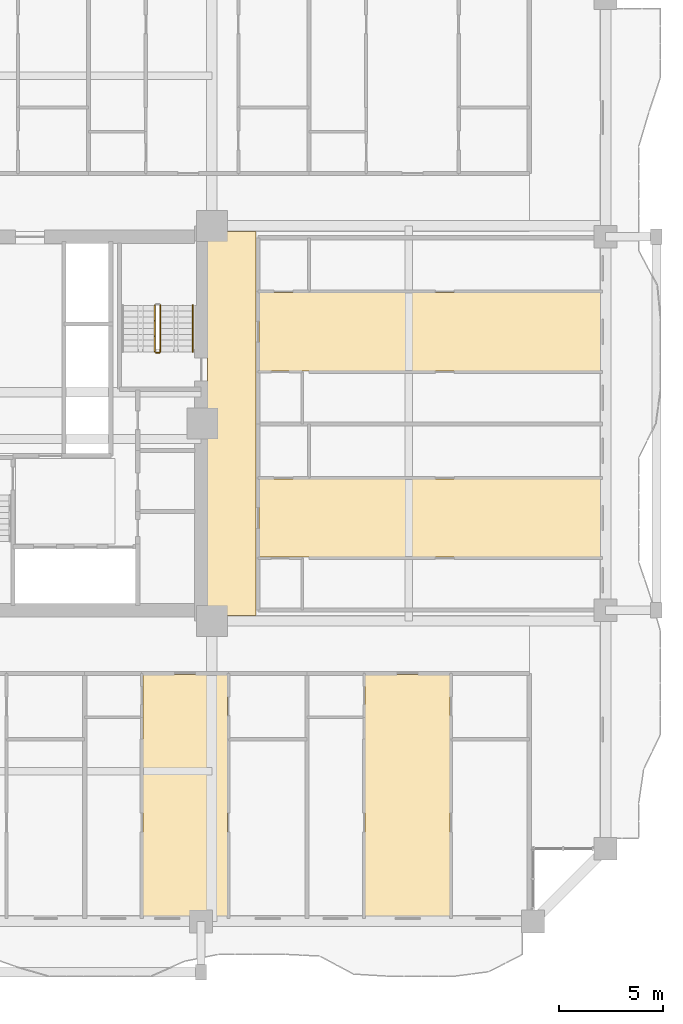
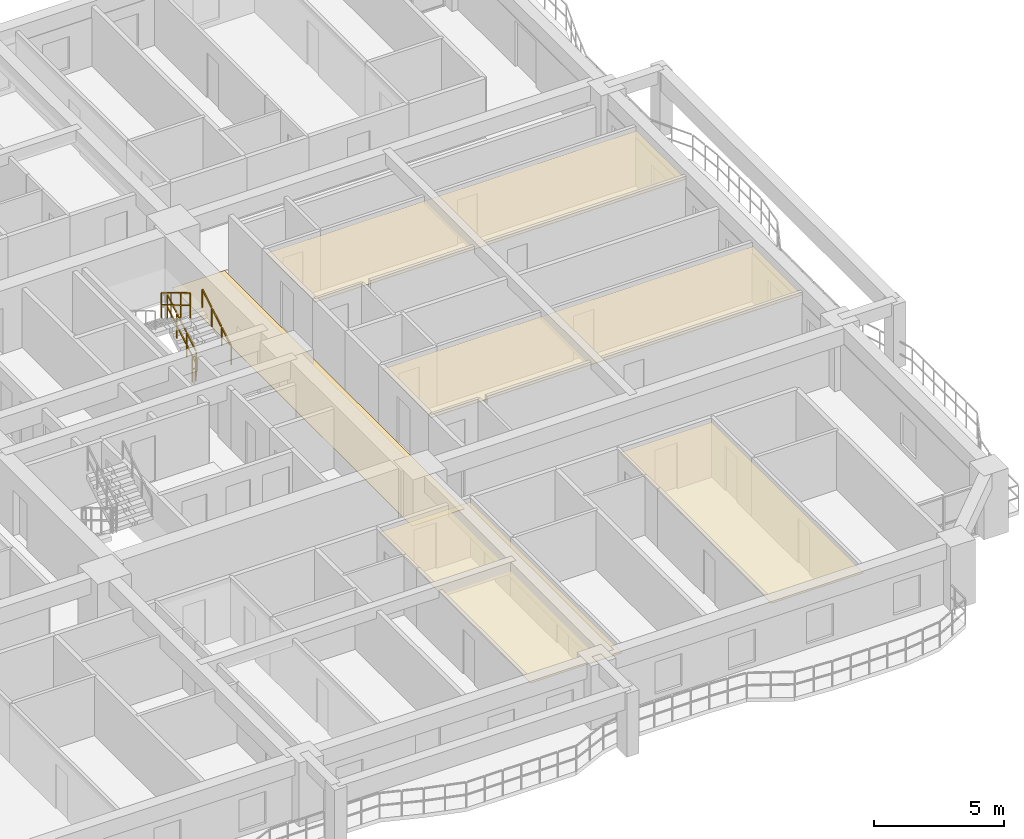
# One storey, part 25 of 27: 5 coverings, 4 railings.
"""IFC4 building model written with IfcOpenShell, lengths in metres."""

from ifc_helpers import new_model, si_unit, direction, frame, origin, origin_2d, place, context, subcontext, project, spatial, polyline, rectangle, outline, extrude, material, layer, layer_set, type_object, element, save


model = new_model("IFC4")

# Units and contexts
model_context = context("Model", 3, precision=1e-05, world=origin(), true_north=direction((0.0, 1.0)))
body_context = subcontext(model_context, "Body", "Model", "MODEL_VIEW")
ifc_project = project(units=[si_unit("LENGTHUNIT", "METRE"), si_unit("AREAUNIT", "SQUARE_METRE"), si_unit("VOLUMEUNIT", "CUBIC_METRE"), si_unit("PLANEANGLEUNIT", "RADIAN"), si_unit("MASSUNIT", "GRAM", prefix="KILO")], contexts=[model_context])

# Site, building, storey
site_placement = place(None, origin())
site = spatial("IfcSite", under=ifc_project, at=site_placement, CompositionType="ELEMENT")
building_placement = place(site_placement, origin())
building = spatial("IfcBuilding", under=site, at=building_placement, Name="Saelheon Loggia Tower", CompositionType="ELEMENT")
storey_placement = place(building_placement, frame((0.0, 0.0, 34.39990234375)))
storey = spatial("IfcBuildingStorey", under=building, at=storey_placement, Name="L10", CompositionType="ELEMENT", Elevation=34.39990234375)

# Coverings
ifc_material_1 = material(Name="Mineral-Fibre Acoustic Ceiling Board", Category="gypsum")
ifc_layer_1 = layer(ifc_material_1, 0.02490234375)
ifc_layer_set_1 = layer_set([ifc_layer_1], Name="Mineral-Fibre Acoustic Ceiling Board")
covering_type_1 = type_object("IfcCoveringType", Name="Cov_Ceiling_Acoustic", PredefinedType="CEILING", material=ifc_layer_set_1)
covering_1_placement = place(storey_placement, frame((0.0, 0.0, 2.53515625)))
element("IfcCovering", 1, at=covering_1_placement, inside=storey, type_object=covering_type_1, Name="L10 Acoustic Suspended Ceiling", PredefinedType="CEILING", context=body_context, shape_type="SweptSolid", body=[
    extrude(outline(polyline([(41.69287109375, 3.199951171875), (45.77001953125, 3.199951171875), (45.77001953125, 14.89990234375), (41.69287109375, 14.89990234375), (41.69287109375, 3.199951171875)])), origin(), (0.0, 0.0, 1.0), 0.02490234375),
])
covering_2_placement = place(storey_placement, frame((0.0, 0.0, 2.53515625)))
element("IfcCovering", 2, at=covering_2_placement, inside=storey, type_object=covering_type_1, Name="L10 Acoustic Suspended Ceiling", PredefinedType="CEILING", context=body_context, shape_type="SweptSolid", body=[
    extrude(outline(polyline([(52.406494140625, 3.199951171875), (56.504150390625, 3.199951171875), (56.504150390625, 14.89990234375), (52.406494140625, 14.89990234375), (52.406494140625, 3.199951171875)])), origin(), (0.0, 0.0, 1.0), 0.02490234375),
])
covering_3_placement = place(storey_placement, frame((0.0, 0.0, 2.53515625)))
element("IfcCovering", 3, at=covering_3_placement, inside=storey, type_object=covering_type_1, Name="L10 Acoustic Suspended Ceiling", PredefinedType="CEILING", context=body_context, shape_type="SweptSolid", body=[
    extrude(outline(polyline([(47.300048828125, 20.56298828125), (63.800048828125, 20.56298828125), (63.800048828125, 24.324951171875), (47.300048828125, 24.324951171875), (47.300048828125, 20.56298828125)])), origin(), (0.0, 0.0, 1.0), 0.02490234375),
])
covering_4_placement = place(storey_placement, frame((0.0, 0.0, 2.53515625)))
element("IfcCovering", 4, at=covering_4_placement, inside=storey, type_object=covering_type_1, Name="L10 Acoustic Suspended Ceiling", PredefinedType="CEILING", context=body_context, shape_type="SweptSolid", body=[
    extrude(outline(polyline([(47.300048828125, 29.5380859375), (63.800048828125, 29.5380859375), (63.800048828125, 33.300048828125), (47.300048828125, 33.300048828125), (47.300048828125, 29.5380859375)])), origin(), (0.0, 0.0, 1.0), 0.02490234375),
])
ifc_material_2 = material(Name="Vitrified Porcelain Floor Tile", Category="ceramic")
ifc_layer_2 = layer(ifc_material_2, 0.02001953125)
ifc_layer_set_2 = layer_set([ifc_layer_2], Name="Vitrified Porcelain Floor Tile")
covering_type_2 = type_object("IfcCoveringType", Name="Cov_Floor_Porcelain", PredefinedType="FLOORING", material=ifc_layer_set_2)
covering_5_placement = place(storey_placement, origin())
element("IfcCovering", 5, at=covering_5_placement, inside=storey, type_object=covering_type_2, Name="L10 Corridor Porcelain Flooring", PredefinedType="FLOORING", context=body_context, shape_type="SweptSolid", body=[
    extrude(outline(polyline([(44.820068359375, 17.75), (47.14990234375, 17.75), (47.14990234375, 36.25), (44.820068359375, 36.25), (44.820068359375, 17.75)])), origin(), (0.0, 0.0, 1.0), 0.02001953125),
])

# Railings
ifc_material_3 = material(Name="Galvanised Steel S275 Stairwell Guardrail", Category="steel")
railing_type_1 = type_object("IfcRailingType", Name="Guard_StairWell_RL_STG", PredefinedType="GUARDRAIL", material=ifc_material_3)
railing_1_placement = place(storey_placement, frame((42.5400390625, 30.449951171875, 0.166748046875)))
element("IfcRailing", 6, at=railing_1_placement, inside=storey, type_object=railing_type_1, Name="L10 ST2 stair guard 1", PredefinedType="GUARDRAIL", context=body_context, shape_type="SweptSolid", body=[
    extrude(rectangle(XDim=0.048095703125, YDim=0.048095703125, at=origin_2d()), frame((0.0, 0.028564453125, 1.19287109375), z_axis=(0.0, 0.859305625298, 0.511462454469), x_axis=(-1.0, 0.0, 0.0)), (0.0, 0.0, 1.0), 0.802490234375),
    extrude(rectangle(XDim=0.048095703125, YDim=0.048095703125, at=origin_2d()), frame((0.0, 0.028564453125, 0.616943359375), z_axis=(0.0, 0.859305625298, 0.511462454469), x_axis=(-1.0, 0.0, 0.0)), (0.0, 0.0, 1.0), 0.802490234375),
    extrude(rectangle(XDim=0.048095703125, YDim=0.048095703125, at=origin_2d()), frame((0.0, 0.775146484375, 1.63720703125), z_axis=(0.0, 0.859305625298, 0.511462454469), x_axis=(-1.0, 0.0, 0.0)), (0.0, 0.0, 1.0), 0.802490234375),
    extrude(rectangle(XDim=0.048095703125, YDim=0.048095703125, at=origin_2d()), frame((0.0, 0.775146484375, 1.061279296875), z_axis=(0.0, 0.859305625298, 0.511462454469), x_axis=(-1.0, 0.0, 0.0)), (0.0, 0.0, 1.0), 0.802490234375),
    extrude(rectangle(XDim=0.048095703125, YDim=0.048095703125, at=origin_2d()), frame((0.0, 1.52197265625, 2.081787109375), z_axis=(0.0, 0.859305625298, 0.511462454469), x_axis=(-1.0, 0.0, 0.0)), (0.0, 0.0, 1.0), 0.802490234375),
    extrude(rectangle(XDim=0.048095703125, YDim=0.048095703125, at=origin_2d()), frame((0.0, 1.52197265625, 1.505859375), z_axis=(0.0, 0.859305625298, 0.511462454469), x_axis=(-1.0, 0.0, 0.0)), (0.0, 0.0, 1.0), 0.802490234375),
    extrude(rectangle(XDim=0.0419921875, YDim=0.0419921875, at=origin_2d()), origin(), (0.0, 0.0, 1.0), 1.14794921875),
    extrude(rectangle(XDim=0.0419921875, YDim=0.0419921875, at=origin_2d()), frame((0.0, 0.74658203125, 0.4443359375)), (0.0, 0.0, 1.0), 1.14794921875),
    extrude(rectangle(XDim=0.0419921875, YDim=0.0419921875, at=origin_2d()), frame((0.0, 1.493408203125, 0.888916015625)), (0.0, 0.0, 1.0), 1.14794921875),
    extrude(rectangle(XDim=0.0419921875, YDim=0.0419921875, at=origin_2d()), frame((0.0, 2.239990234375, 1.333251953125)), (0.0, 0.0, 1.0), 1.14794921875),
])
railing_2_placement = place(storey_placement, frame((42.280029296875, 32.68994140625, 1.666748046875)))
element("IfcRailing", 7, at=railing_2_placement, inside=storey, type_object=railing_type_1, Name="L10 ST2 stair guard 3", PredefinedType="GUARDRAIL", context=body_context, shape_type="SweptSolid", body=[
    extrude(rectangle(XDim=0.048095703125, YDim=0.048095703125, at=origin_2d()), frame((0.0, -0.028564453125, 1.19287109375), z_axis=(0.0, -0.859305625298, 0.511462454469), x_axis=(1.0, 0.0, 0.0)), (0.0, 0.0, 1.0), 0.802490234375),
    extrude(rectangle(XDim=0.048095703125, YDim=0.048095703125, at=origin_2d()), frame((0.0, -0.028564453125, 0.616943359375), z_axis=(0.0, -0.859305625298, 0.511462454469), x_axis=(1.0, 0.0, 0.0)), (0.0, 0.0, 1.0), 0.802490234375),
    extrude(rectangle(XDim=0.048095703125, YDim=0.048095703125, at=origin_2d()), frame((0.0, -0.775146484375, 1.63720703125), z_axis=(0.0, -0.859305625298, 0.511462454469), x_axis=(1.0, 0.0, 0.0)), (0.0, 0.0, 1.0), 0.802490234375),
    extrude(rectangle(XDim=0.048095703125, YDim=0.048095703125, at=origin_2d()), frame((0.0, -0.775146484375, 1.061279296875), z_axis=(0.0, -0.859305625298, 0.511462454469), x_axis=(1.0, 0.0, 0.0)), (0.0, 0.0, 1.0), 0.802490234375),
    extrude(rectangle(XDim=0.048095703125, YDim=0.048095703125, at=origin_2d()), frame((0.0, -1.52197265625, 2.081787109375), z_axis=(0.0, -0.859305625298, 0.511462454469), x_axis=(1.0, 0.0, 0.0)), (0.0, 0.0, 1.0), 0.802490234375),
    extrude(rectangle(XDim=0.048095703125, YDim=0.048095703125, at=origin_2d()), frame((0.0, -1.52197265625, 1.505859375), z_axis=(0.0, -0.859305625298, 0.511462454469), x_axis=(1.0, 0.0, 0.0)), (0.0, 0.0, 1.0), 0.802490234375),
    extrude(rectangle(XDim=0.0419921875, YDim=0.0419921875, at=origin_2d()), origin(), (0.0, 0.0, 1.0), 1.14794921875),
    extrude(rectangle(XDim=0.0419921875, YDim=0.0419921875, at=origin_2d()), frame((0.0, -0.74658203125, 0.4443359375)), (0.0, 0.0, 1.0), 1.14794921875),
    extrude(rectangle(XDim=0.0419921875, YDim=0.0419921875, at=origin_2d()), frame((0.0, -1.493408203125, 0.888916015625)), (0.0, 0.0, 1.0), 1.14794921875),
    extrude(rectangle(XDim=0.0419921875, YDim=0.0419921875, at=origin_2d()), frame((0.0, -2.239990234375, 1.333251953125)), (0.0, 0.0, 1.0), 1.14794921875),
])
railing_3_placement = place(storey_placement, frame((42.489990234375, 30.39990234375, 0.0)))
element("IfcRailing", 8, at=railing_3_placement, inside=storey, type_object=railing_type_1, Name="L10 ST2 stair guard 4", PredefinedType="GUARDRAIL", context=body_context, shape_type="SweptSolid", body=[
    extrude(rectangle(XDim=0.048095703125, YDim=0.048095703125, at=origin_2d()), frame((-0.033203125, 0.0, 1.17578125), z_axis=(-1.0, 0.0, 0.0), x_axis=(0.0, -1.0, 0.0)), (0.0, 0.0, 1.0), 0.093505859375),
    extrude(rectangle(XDim=0.048095703125, YDim=0.048095703125, at=origin_2d()), frame((-0.033203125, 0.0, 0.60009765625), z_axis=(-1.0, 0.0, 0.0), x_axis=(0.0, -1.0, 0.0)), (0.0, 0.0, 1.0), 0.093505859375),
    extrude(rectangle(XDim=0.0419921875, YDim=0.0419921875, at=origin_2d()), origin(), (0.0, 0.0, 1.0), 1.14794921875),
    extrude(rectangle(XDim=0.0419921875, YDim=0.0419921875, at=origin_2d()), frame((-0.159912109375, 0.0, 0.0)), (0.0, 0.0, 1.0), 1.14794921875),
])
ifc_material_4 = material(Name="Stainless Steel 304 Tubular Handrail", Category="steel")
railing_type_2 = type_object("IfcRailingType", Name="Handrail_Stair_RL_HR1", PredefinedType="HANDRAIL", material=ifc_material_4)
railing_4_placement = place(storey_placement, frame((44.10009765625, 30.449951171875, 0.166748046875)))
element("IfcRailing", 9, at=railing_4_placement, inside=storey, type_object=railing_type_2, Name="L10 ST2 stair handrail 1", PredefinedType="HANDRAIL", context=body_context, shape_type="SweptSolid", body=[
    extrude(rectangle(XDim=0.048095703125, YDim=0.048095703125, at=origin_2d()), frame((0.0, 0.028564453125, 0.892822265625), z_axis=(0.0, 0.859305625298, 0.511462454469), x_axis=(-1.0, 0.0, 0.0)), (0.0, 0.0, 1.0), 0.802490234375),
    extrude(rectangle(XDim=0.048095703125, YDim=0.048095703125, at=origin_2d()), frame((0.0, 0.775146484375, 1.337158203125), z_axis=(0.0, 0.859305625298, 0.511462454469), x_axis=(-1.0, 0.0, 0.0)), (0.0, 0.0, 1.0), 0.802490234375),
    extrude(rectangle(XDim=0.048095703125, YDim=0.048095703125, at=origin_2d()), frame((0.0, 1.52197265625, 1.78173828125), z_axis=(0.0, 0.859305625298, 0.511462454469), x_axis=(-1.0, 0.0, 0.0)), (0.0, 0.0, 1.0), 0.802490234375),
    extrude(rectangle(XDim=0.0419921875, YDim=0.0419921875, at=origin_2d()), origin(), (0.0, 0.0, 1.0), 0.847900390625),
    extrude(rectangle(XDim=0.0419921875, YDim=0.0419921875, at=origin_2d()), frame((0.0, 0.74658203125, 0.4443359375)), (0.0, 0.0, 1.0), 0.847900390625),
    extrude(rectangle(XDim=0.0419921875, YDim=0.0419921875, at=origin_2d()), frame((0.0, 1.493408203125, 0.888916015625)), (0.0, 0.0, 1.0), 0.847900390625),
    extrude(rectangle(XDim=0.0419921875, YDim=0.0419921875, at=origin_2d()), frame((0.0, 2.239990234375, 1.333251953125)), (0.0, 0.0, 1.0), 0.847900390625),
])

save(model, "model.ifc")
